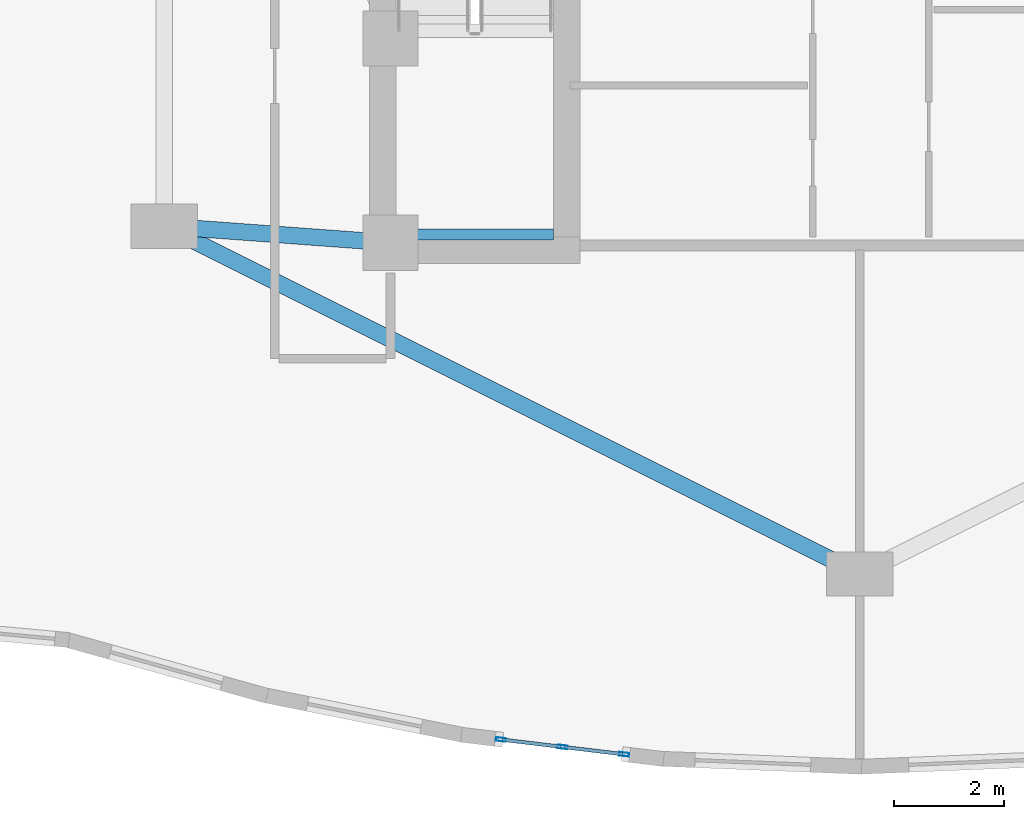
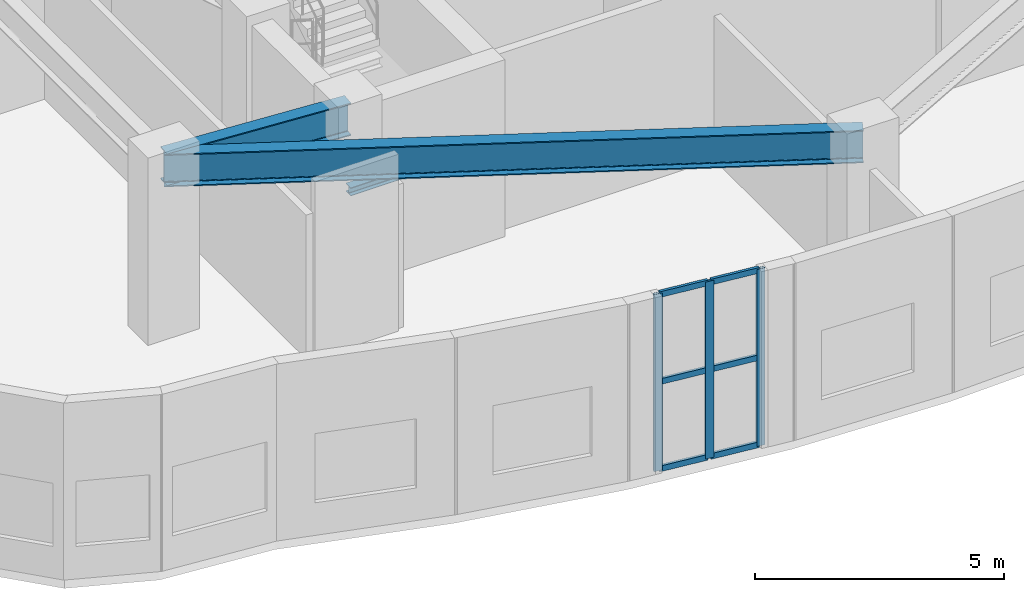
# One storey, part 2 of 14: 9 members, 3 beams, 1 element without a shape of its own.
"""IFC4 building model written with IfcOpenShell, lengths in metres."""

from ifc_helpers import new_model, si_unit, direction, frame, origin, origin_2d, place, context, subcontext, project, spatial, hollow_rectangle, i_section, extrude, material, layer, layer_set, material_profile, profile_set, type_object, element, aggregate, save


model = new_model("IFC4")

# Units and contexts
model_context = context("Model", 3, precision=1e-05, world=origin(), true_north=direction((0.0, 1.0)))
body_context = subcontext(model_context, "Body", "Model", "MODEL_VIEW")
ifc_project = project(units=[si_unit("LENGTHUNIT", "METRE"), si_unit("AREAUNIT", "SQUARE_METRE"), si_unit("VOLUMEUNIT", "CUBIC_METRE"), si_unit("PLANEANGLEUNIT", "RADIAN"), si_unit("MASSUNIT", "GRAM", prefix="KILO")], contexts=[model_context])

# Site, building, storey
site_placement = place(None, origin())
site = spatial("IfcSite", under=ifc_project, at=site_placement, CompositionType="ELEMENT")
building_placement = place(site_placement, origin())
building = spatial("IfcBuilding", under=site, at=building_placement, Name="Miruveldt Soraemaru", CompositionType="ELEMENT")
storey_placement = place(building_placement, frame((0.0, 0.0, 189.800048828125)))
storey = spatial("IfcBuildingStorey", under=building, at=storey_placement, Name="L52", CompositionType="ELEMENT", Elevation=189.800048828125)

# Beams
ifc_material_1 = material(Name="Steel S460 (460 MPa)", Category="steel")
ifc_material_profile_1 = material_profile(ifc_material_1, i_section(OverallWidth=0.300048828125, OverallDepth=0.800048828125, WebThickness=0.013916015625, FlangeThickness=0.02587890625, FilletRadius=0.028076171875, at=origin_2d()), Name="Steel S460 (460 MPa)", Category="steel")
ifc_profile_set_1 = profile_set([ifc_material_profile_1], Name="Steel S460 (460 MPa)")
beam_type_1 = type_object("IfcBeamType", Name="BM-ST-H800", PredefinedType="BEAM", material=ifc_profile_set_1)
beam_1_placement = place(storey_placement, frame((44.0, 29.5, 3.945068359375), z_axis=(-0.894427191, 0.4472135955, 0.0), x_axis=(-0.4472135955, -0.894427191, 0.0)))
element("IfcBeam", 1, at=beam_1_placement, inside=storey, type_object=beam_type_1, Name="L52 Inner Ring Girder 4", PredefinedType="BEAM", context=body_context, shape_type="SweptSolid", body=[
    extrude(i_section(OverallWidth=0.300048828125, OverallDepth=0.800048828125, WebThickness=0.013916015625, FlangeThickness=0.02587890625, FilletRadius=0.028076171875, at=origin_2d()), origin(), (0.0, 0.0, 1.0), 14.08740234375),
])
beam_2_placement = place(storey_placement, frame((35.5, 35.5, 3.945068359375), z_axis=(-0.997332985605, 0.072985723431, 0.0), x_axis=(-0.072985723431, -0.997332985605, 0.0)))
element("IfcBeam", 2, at=beam_2_placement, inside=storey, type_object=beam_type_1, Name="L52 Core-to-Inner Radial Girder 5", PredefinedType="BEAM", context=body_context, shape_type="SweptSolid", body=[
    extrude(i_section(OverallWidth=0.300048828125, OverallDepth=0.800048828125, WebThickness=0.013916015625, FlangeThickness=0.02587890625, FilletRadius=0.028076171875, at=origin_2d()), origin(), (0.0, 0.0, 1.0), 4.111083984375),
])
ifc_material_2 = material(Name="Steel SM355 (355 MPa)", Category="steel")
ifc_material_profile_2 = material_profile(ifc_material_2, i_section(OverallWidth=0.199951171875, OverallDepth=0.199951171875, WebThickness=0.008056640625, FlangeThickness=0.011962890625, FilletRadius=0.012939453125, at=origin_2d()), Name="Steel SM355 (355 MPa)", Category="steel")
ifc_profile_set_2 = profile_set([ifc_material_profile_2], Name="Steel SM355 (355 MPa)")
beam_type_2 = type_object("IfcBeamType", Name="BM-ST-LND200", PredefinedType="BEAM", material=ifc_profile_set_2)
beam_3_placement = place(storey_placement, frame((35.60009765625, 35.64990234375, 2.0), z_axis=(1.0, 0.0, 0.0), x_axis=(0.0, 1.0, 0.0)))
element("IfcBeam", 3, at=beam_3_placement, inside=storey, type_object=beam_type_2, Name="L52 ST1 Landing End Beam 1B", PredefinedType="BEAM", context=body_context, shape_type="SweptSolid", body=[
    extrude(i_section(OverallWidth=0.199951171875, OverallDepth=0.199951171875, WebThickness=0.008056640625, FlangeThickness=0.011962890625, FilletRadius=0.012939453125, at=origin_2d()), origin(), (0.0, 0.0, 1.0), 2.849853515625),
])

# Curtain wall, members
ifc_material_3 = material(Name="Anodised aluminium EN AW-6063 T6", Category="aluminium")
ifc_layer = layer(ifc_material_3, 0.179931640625, Name="Anodised aluminium EN AW-6063 T6", Category="aluminium")
ifc_layer_set = layer_set([ifc_layer], Name="Anodised aluminium EN AW-6063 T6")
curtain_wall_type = type_object("IfcCurtainWallType", Name="CW-SYS-4", PredefinedType="USERDEFINED", material=ifc_layer_set)
curtain_wall_placement = place(storey_placement, origin())
curtain_wall = element("IfcCurtainWall", 4, at=curtain_wall_placement, inside=storey, type_object=curtain_wall_type, Name="L52 Curtain Wall Bay 23", ObjectType="UNITISED GLAZING", PredefinedType="USERDEFINED")
ifc_material_profile_3 = material_profile(ifc_material_3, hollow_rectangle(XDim=0.06494140625, YDim=0.179931640625, WallThickness=0.00390625, at=origin_2d()), Name="Anodised aluminium EN AW-6063 T6", Category="aluminium")
ifc_profile_set_3 = profile_set([ifc_material_profile_3], Name="Anodised aluminium EN AW-6063 T6")
member_type_1 = type_object("IfcMemberType", Name="CWM-4", PredefinedType="MULLION", material=ifc_profile_set_3)
member_1_placement = place(storey_placement, frame((37.497314453125, 26.49951171875, 0.0), z_axis=(0.0, 0.0, 1.0), x_axis=(0.119170759501, 0.992873773488, 0.0)))
member_1 = element("IfcMember", 5, at=member_1_placement, type_object=member_type_1, Name="CW-4 mullion 1", PredefinedType="MULLION", context=body_context, shape_type="SweptSolid", body=[
    extrude(hollow_rectangle(XDim=0.06494140625, YDim=0.179931640625, WallThickness=0.00390625, at=origin_2d()), origin(), (0.0, 0.0, 1.0), 4.344970703125),
])
member_2_placement = place(storey_placement, frame((38.61474609375, 26.365234375, 0.0), z_axis=(0.0, 0.0, 1.0), x_axis=(0.119170759501, 0.992873773488, 0.0)))
member_2 = element("IfcMember", 6, at=member_2_placement, type_object=member_type_1, Name="CW-4 mullion 2", PredefinedType="MULLION", context=body_context, shape_type="SweptSolid", body=[
    extrude(hollow_rectangle(XDim=0.06494140625, YDim=0.179931640625, WallThickness=0.00390625, at=origin_2d()), origin(), (0.0, 0.0, 1.0), 4.344970703125),
])
member_3_placement = place(storey_placement, frame((39.732177734375, 26.231201171875, 0.0), z_axis=(0.0, 0.0, 1.0), x_axis=(0.119170759501, 0.992873773488, 0.0)))
member_3 = element("IfcMember", 7, at=member_3_placement, type_object=member_type_1, Name="CW-4 mullion 3", PredefinedType="MULLION", context=body_context, shape_type="SweptSolid", body=[
    extrude(hollow_rectangle(XDim=0.06494140625, YDim=0.179931640625, WallThickness=0.00390625, at=origin_2d()), origin(), (0.0, 0.0, 1.0), 4.344970703125),
])
ifc_material_profile_4 = material_profile(ifc_material_3, hollow_rectangle(XDim=0.06494140625, YDim=0.139892578125, WallThickness=0.00390625, at=origin_2d()), Name="Anodised aluminium EN AW-6063 T6", Category="aluminium")
ifc_profile_set_4 = profile_set([ifc_material_profile_4], Name="Anodised aluminium EN AW-6063 T6")
member_type_2 = type_object("IfcMemberType", Name="CWT-4", PredefinedType="USERDEFINED", material=ifc_profile_set_4)
member_4_placement = place(storey_placement, frame((37.529541015625, 26.49560546875, 0.032470703125), z_axis=(0.992864851299, -0.119245071406, 0.0), x_axis=(0.119245071406, 0.992864851299, 0.0)))
member_4 = element("IfcMember", 8, at=member_4_placement, type_object=member_type_2, Name="CW-4 transom 1.1", ObjectType="TRANSOM", PredefinedType="USERDEFINED", context=body_context, shape_type="SweptSolid", body=[
    extrude(hollow_rectangle(XDim=0.06494140625, YDim=0.139892578125, WallThickness=0.00390625, at=origin_2d()), origin(), (0.0, 0.0, 1.0), 1.060546875),
])
member_5_placement = place(storey_placement, frame((37.529541015625, 26.49560546875, 2.17236328125), z_axis=(0.992864851299, -0.119245071406, 0.0), x_axis=(0.119245071406, 0.992864851299, 0.0)))
member_5 = element("IfcMember", 9, at=member_5_placement, type_object=member_type_2, Name="CW-4 transom 1.2", ObjectType="TRANSOM", PredefinedType="USERDEFINED", context=body_context, shape_type="SweptSolid", body=[
    extrude(hollow_rectangle(XDim=0.06494140625, YDim=0.139892578125, WallThickness=0.00390625, at=origin_2d()), origin(), (0.0, 0.0, 1.0), 1.060546875),
])
member_6_placement = place(storey_placement, frame((37.529541015625, 26.49560546875, 4.3125), z_axis=(0.992864851299, -0.119245071406, 0.0), x_axis=(0.119245071406, 0.992864851299, 0.0)))
member_6 = element("IfcMember", 10, at=member_6_placement, type_object=member_type_2, Name="CW-4 transom 1.3", ObjectType="TRANSOM", PredefinedType="USERDEFINED", context=body_context, shape_type="SweptSolid", body=[
    extrude(hollow_rectangle(XDim=0.06494140625, YDim=0.139892578125, WallThickness=0.00390625, at=origin_2d()), origin(), (0.0, 0.0, 1.0), 1.060546875),
])
member_7_placement = place(storey_placement, frame((38.64697265625, 26.361328125, 0.032470703125), z_axis=(0.992892080802, -0.11901813257, 0.0), x_axis=(0.11901813257, 0.992892080802, 0.0)))
member_7 = element("IfcMember", 11, at=member_7_placement, type_object=member_type_2, Name="CW-4 transom 2.1", ObjectType="TRANSOM", PredefinedType="USERDEFINED", context=body_context, shape_type="SweptSolid", body=[
    extrude(hollow_rectangle(XDim=0.06494140625, YDim=0.139892578125, WallThickness=0.00390625, at=origin_2d()), origin(), (0.0, 0.0, 1.0), 1.060546875),
])
member_8_placement = place(storey_placement, frame((38.64697265625, 26.361328125, 2.17236328125), z_axis=(0.992892080802, -0.11901813257, 0.0), x_axis=(0.11901813257, 0.992892080802, 0.0)))
member_8 = element("IfcMember", 12, at=member_8_placement, type_object=member_type_2, Name="CW-4 transom 2.2", ObjectType="TRANSOM", PredefinedType="USERDEFINED", context=body_context, shape_type="SweptSolid", body=[
    extrude(hollow_rectangle(XDim=0.06494140625, YDim=0.139892578125, WallThickness=0.00390625, at=origin_2d()), origin(), (0.0, 0.0, 1.0), 1.060546875),
])
member_9_placement = place(storey_placement, frame((38.64697265625, 26.361328125, 4.3125), z_axis=(0.992892080802, -0.11901813257, 0.0), x_axis=(0.11901813257, 0.992892080802, 0.0)))
member_9 = element("IfcMember", 13, at=member_9_placement, type_object=member_type_2, Name="CW-4 transom 2.3", ObjectType="TRANSOM", PredefinedType="USERDEFINED", context=body_context, shape_type="SweptSolid", body=[
    extrude(hollow_rectangle(XDim=0.06494140625, YDim=0.139892578125, WallThickness=0.00390625, at=origin_2d()), origin(), (0.0, 0.0, 1.0), 1.060546875),
])
aggregate(curtain_wall, [member_1, member_2, member_3, member_4, member_5, member_6, member_7, member_8, member_9])

save(model, "model.ifc")
